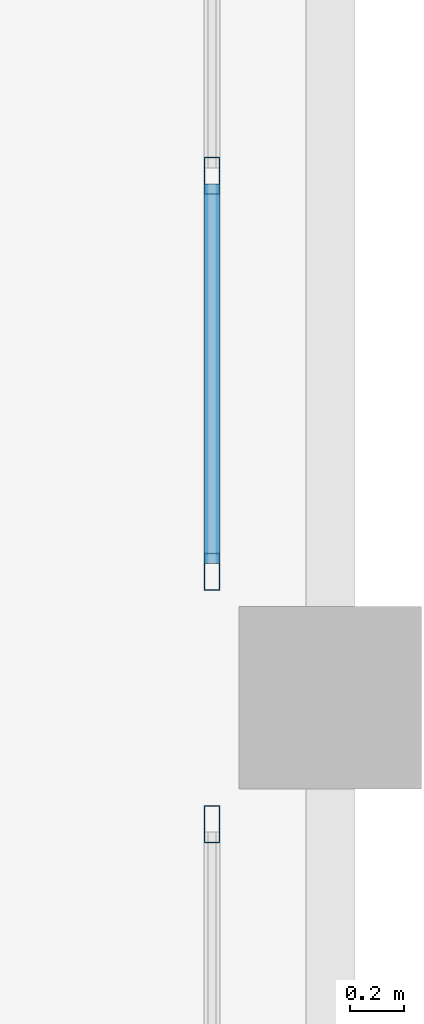
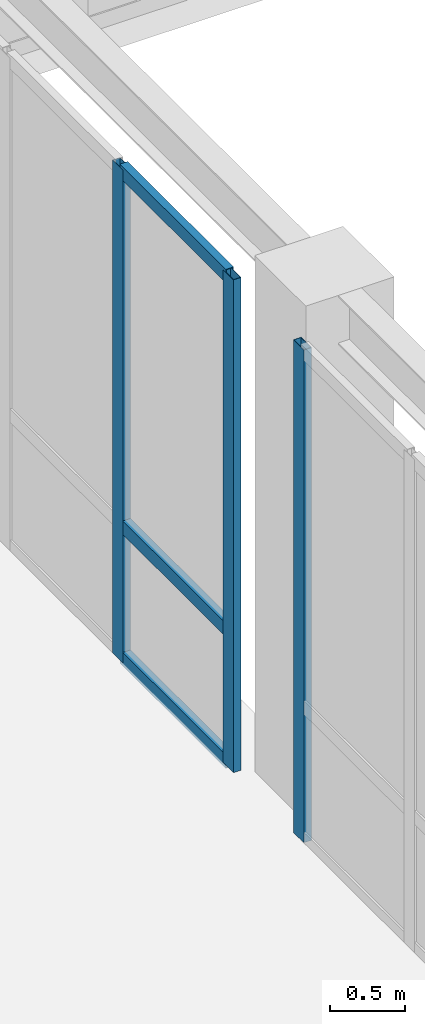
# One storey, part 36 of 140: 6 members, 2 elements without a shape of their own.
"""IFC4 building model written with IfcOpenShell, lengths in metres."""

from ifc_helpers import new_model, si_unit, direction, frame, origin, origin_2d, place, context, subcontext, project, spatial, hollow_rectangle, extrude, material, layer, layer_set, material_profile, profile_set, type_object, element, aggregate, save


model = new_model("IFC4")

# Units and contexts
model_context = context("Model", 3, precision=1e-05, world=origin(), true_north=direction((0.0, 1.0)))
body_context = subcontext(model_context, "Body", "Model", "MODEL_VIEW")
ifc_project = project(units=[si_unit("LENGTHUNIT", "METRE"), si_unit("AREAUNIT", "SQUARE_METRE"), si_unit("VOLUMEUNIT", "CUBIC_METRE"), si_unit("PLANEANGLEUNIT", "RADIAN"), si_unit("MASSUNIT", "GRAM", prefix="KILO")], contexts=[model_context])

# Site, building, storey
site_placement = place(None, origin())
site = spatial("IfcSite", under=ifc_project, at=site_placement, CompositionType="ELEMENT")
building_placement = place(site_placement, origin())
building = spatial("IfcBuilding", under=site, at=building_placement, Name="Trelvath General Hospital", CompositionType="ELEMENT")
storey_placement = place(building_placement, frame((0.0, 0.0, 16.199951171875)))
storey = spatial("IfcBuildingStorey", under=building, at=storey_placement, Name="L04", CompositionType="ELEMENT", Elevation=16.199951171875)

# Curtain wall, member
ifc_material_1 = material(Name="Anodised aluminium and low-E glass", Category="aluminium")
ifc_layer = layer(ifc_material_1, 0.139892578125)
ifc_layer_set = layer_set([ifc_layer], Name="Anodised aluminium and low-E glass")
curtain_wall_type = type_object("IfcCurtainWallType", Name="CW Bridge 752 401", PredefinedType="USERDEFINED", material=ifc_layer_set)
curtain_wall_1_placement = place(storey_placement, origin())
curtain_wall_1 = element("IfcCurtainWall", 1, at=curtain_wall_1_placement, inside=storey, type_object=curtain_wall_type, Name="Glazed Bridge Curtain Wall BRG-S-C E L04", ObjectType="Unitised Glazed Curtain Wall", PredefinedType="USERDEFINED")
ifc_material_2 = material(Name="Anodised aluminium", Category="aluminium")
ifc_material_profile_1 = material_profile(ifc_material_2, hollow_rectangle(XDim=0.06005859375, YDim=0.139892578125, WallThickness=0.00390625, at=origin_2d()), Name="RHS60x140x4")
ifc_profile_set_1 = profile_set([ifc_material_profile_1], Name="Anodised aluminium")
member_type_1 = type_object("IfcMemberType", Name="CurtainMullion 60x140", PredefinedType="MULLION", material=ifc_profile_set_1)
member_1_placement = place(storey_placement, frame((83.56005859375, 33.1298828125, 0.0), z_axis=(0.0, 0.0, 1.0), x_axis=(1.0, 0.0, 0.0)))
member_1 = element("IfcMember", 2, at=member_1_placement, type_object=member_type_1, Name="CW-303 mullion 1", PredefinedType="MULLION", context=body_context, shape_type="SweptSolid", body=[
    extrude(hollow_rectangle(XDim=0.06005859375, YDim=0.139892578125, WallThickness=0.00390625, at=origin_2d()), origin(), (0.0, 0.0, 1.0), 4.010009765625),
])
aggregate(curtain_wall_1, [member_1])

# Curtain wall, members
curtain_wall_2_placement = place(storey_placement, origin())
curtain_wall_2 = element("IfcCurtainWall", 3, at=curtain_wall_2_placement, inside=storey, type_object=curtain_wall_type, Name="Glazed Bridge Curtain Wall BRG-S-C E L04", ObjectType="Unitised Glazed Curtain Wall", PredefinedType="USERDEFINED")
member_2_placement = place(storey_placement, frame((83.56005859375, 35.5439453125, 0.0), z_axis=(0.0, 0.0, 1.0), x_axis=(1.0, 0.0, 0.0)))
member_2 = element("IfcMember", 4, at=member_2_placement, type_object=member_type_1, Name="CW-305 mullion 5", PredefinedType="MULLION", context=body_context, shape_type="SweptSolid", body=[
    extrude(hollow_rectangle(XDim=0.06005859375, YDim=0.139892578125, WallThickness=0.00390625, at=origin_2d()), origin(), (0.0, 0.0, 1.0), 4.010009765625),
])
member_3_placement = place(storey_placement, frame((83.56005859375, 34.070068359375, 0.0), z_axis=(0.0, 0.0, 1.0), x_axis=(1.0, 0.0, 0.0)))
member_3 = element("IfcMember", 5, at=member_3_placement, type_object=member_type_1, Name="CW-305 mullion 6", PredefinedType="MULLION", context=body_context, shape_type="SweptSolid", body=[
    extrude(hollow_rectangle(XDim=0.06005859375, YDim=0.139892578125, WallThickness=0.00390625, at=origin_2d()), origin(), (0.0, 0.0, 1.0), 4.010009765625),
])
ifc_material_3 = material(Name="Anodised aluminium", Category="aluminium")
ifc_material_profile_2 = material_profile(ifc_material_3, hollow_rectangle(XDim=0.06005859375, YDim=0.110107421875, WallThickness=0.00390625, at=origin_2d()), Name="RHS60x110x4")
ifc_profile_set_2 = profile_set([ifc_material_profile_2], Name="Anodised aluminium")
member_type_2 = type_object("IfcMemberType", Name="CurtainTransom 60x110", PredefinedType="USERDEFINED", material=ifc_profile_set_2)
member_4_placement = place(storey_placement, frame((83.56005859375, 35.513916015625, 0.030029296875), z_axis=(0.0, -1.0, 0.0), x_axis=(1.0, 0.0, 0.0)))
member_4 = element("IfcMember", 6, at=member_4_placement, type_object=member_type_2, Name="CW-305 transom 5.1", ObjectType="TRANSOM", PredefinedType="USERDEFINED", context=body_context, shape_type="SweptSolid", body=[
    extrude(hollow_rectangle(XDim=0.06005859375, YDim=0.110107421875, WallThickness=0.00390625, at=origin_2d()), origin(), (0.0, 0.0, 1.0), 1.413818359375),
])
member_5_placement = place(storey_placement, frame((83.56005859375, 35.513916015625, 1.10009765625), z_axis=(0.0, -1.0, 0.0), x_axis=(1.0, 0.0, 0.0)))
member_5 = element("IfcMember", 7, at=member_5_placement, type_object=member_type_2, Name="CW-305 transom 5.2", ObjectType="TRANSOM", PredefinedType="USERDEFINED", context=body_context, shape_type="SweptSolid", body=[
    extrude(hollow_rectangle(XDim=0.06005859375, YDim=0.110107421875, WallThickness=0.00390625, at=origin_2d()), origin(), (0.0, 0.0, 1.0), 1.413818359375),
])
member_6_placement = place(storey_placement, frame((83.56005859375, 35.513916015625, 3.97998046875), z_axis=(0.0, -1.0, 0.0), x_axis=(1.0, 0.0, 0.0)))
member_6 = element("IfcMember", 8, at=member_6_placement, type_object=member_type_2, Name="CW-305 transom 5.3", ObjectType="TRANSOM", PredefinedType="USERDEFINED", context=body_context, shape_type="SweptSolid", body=[
    extrude(hollow_rectangle(XDim=0.06005859375, YDim=0.110107421875, WallThickness=0.00390625, at=origin_2d()), origin(), (0.0, 0.0, 1.0), 1.413818359375),
])
aggregate(curtain_wall_2, [member_2, member_3, member_4, member_5, member_6])

save(model, "model.ifc")
